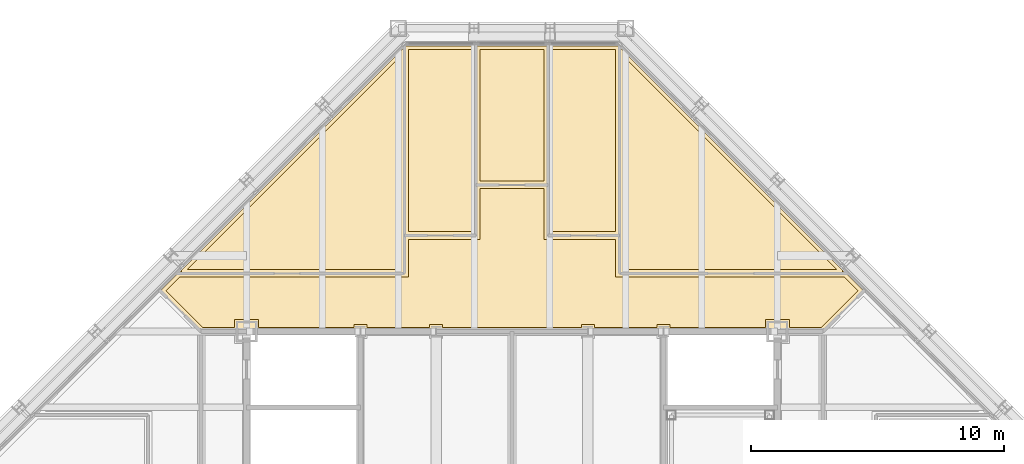
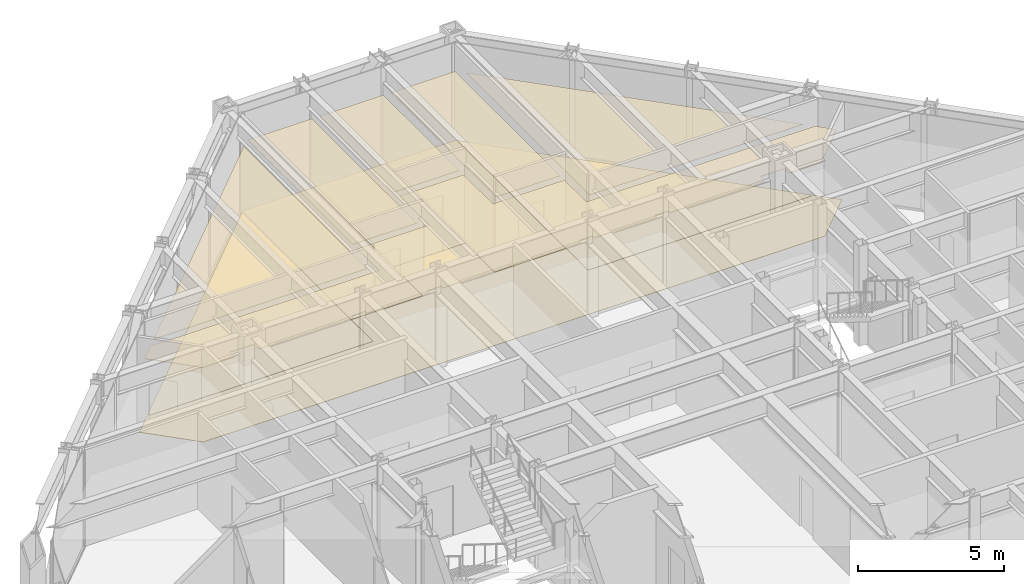
# One storey, part 15 of 15: 12 coverings.
"""IFC4 building model written with IfcOpenShell, lengths in metres."""

from ifc_helpers import new_model, si_unit, direction, frame, origin, place, context, subcontext, project, spatial, polyline, outline, extrude, material, layer, layer_set, type_object, element, save


model = new_model("IFC4")

# Units and contexts
model_context = context("Model", 3, precision=1e-05, world=origin(), true_north=direction((0.0, 1.0)))
body_context = subcontext(model_context, "Body", "Model", "MODEL_VIEW")
ifc_project = project(units=[si_unit("LENGTHUNIT", "METRE"), si_unit("AREAUNIT", "SQUARE_METRE"), si_unit("VOLUMEUNIT", "CUBIC_METRE"), si_unit("PLANEANGLEUNIT", "RADIAN"), si_unit("MASSUNIT", "GRAM", prefix="KILO")], contexts=[model_context])

# Site, building, storey
site_placement = place(None, origin())
site = spatial("IfcSite", under=ifc_project, at=site_placement, CompositionType="ELEMENT")
building_placement = place(site_placement, origin())
building = spatial("IfcBuilding", under=site, at=building_placement, Name="Chuquiago Exchange Tower", CompositionType="ELEMENT")
storey_placement = place(building_placement, frame((0.0, 0.0, 287.39990234375)))
storey = spatial("IfcBuildingStorey", under=building, at=storey_placement, Name="L64", CompositionType="ELEMENT", Elevation=287.39990234375)

# Coverings
ifc_material_1 = material(Name="Mineral fibre tile, 600 x 600, on pale metal grid", Category="mineral fibre")
ifc_layer_1 = layer(ifc_material_1, 0.02001953125)
ifc_layer_set_1 = layer_set([ifc_layer_1], Name="CL1 suspended tile ceiling 20")
covering_type_1 = type_object("IfcCoveringType", Name="CL1 suspended tile ceiling 20", PredefinedType="CEILING", material=ifc_layer_set_1)
covering_1_placement = place(storey_placement, frame((0.0, 0.0, 3.0)))
element("IfcCovering", 1, at=covering_1_placement, inside=storey, type_object=covering_type_1, Name="Ceiling Executive office", PredefinedType="CEILING", context=body_context, shape_type="SweptSolid", body=[
    extrude(outline(polyline([(18.098388671875, 43.896484375), (18.098388671875, 35.449951171875), (9.652099609375, 35.449951171875), (18.098388671875, 43.896484375)])), origin(), (0.0, 0.0, 1.0), 0.02001953125),
])
covering_2_placement = place(storey_placement, frame((0.0, 0.0, 3.0)))
element("IfcCovering", 2, at=covering_2_placement, inside=storey, type_object=covering_type_1, Name="Ceiling Executive office", PredefinedType="CEILING", context=body_context, shape_type="SweptSolid", body=[
    extrude(outline(polyline([(20.932861328125, 44.14990234375), (20.932861328125, 36.949951171875), (18.3984375, 36.949951171875), (18.3984375, 44.14990234375), (20.932861328125, 44.14990234375)])), origin(), (0.0, 0.0, 1.0), 0.02001953125),
])
covering_3_placement = place(storey_placement, frame((0.0, 0.0, 3.0)))
element("IfcCovering", 3, at=covering_3_placement, inside=storey, type_object=covering_type_1, Name="Ceiling Pantry", PredefinedType="CEILING", context=body_context, shape_type="SweptSolid", body=[
    extrude(outline(polyline([(23.76708984375, 38.949951171875), (21.23291015625, 38.949951171875), (21.23291015625, 44.14990234375), (23.76708984375, 44.14990234375), (23.76708984375, 38.949951171875)])), origin(), (0.0, 0.0, 1.0), 0.02001953125),
])
covering_4_placement = place(storey_placement, frame((0.0, 0.0, 3.0)))
element("IfcCovering", 4, at=covering_4_placement, inside=storey, type_object=covering_type_1, Name="Ceiling Executive office", PredefinedType="CEILING", context=body_context, shape_type="SweptSolid", body=[
    extrude(outline(polyline([(26.6015625, 36.949951171875), (24.067138671875, 36.949951171875), (24.067138671875, 44.14990234375), (26.6015625, 44.14990234375), (26.6015625, 36.949951171875)])), origin(), (0.0, 0.0, 1.0), 0.02001953125),
])
covering_5_placement = place(storey_placement, frame((0.0, 0.0, 3.0)))
element("IfcCovering", 5, at=covering_5_placement, inside=storey, type_object=covering_type_1, Name="Ceiling Boardroom", PredefinedType="CEILING", context=body_context, shape_type="SweptSolid", body=[
    extrude(outline(polyline([(26.901611328125, 35.449951171875), (26.901611328125, 43.896484375), (35.347900390625, 35.449951171875), (26.901611328125, 35.449951171875)])), origin(), (0.0, 0.0, 1.0), 0.02001953125),
])
covering_6_placement = place(storey_placement, frame((0.0, 0.0, 3.0)))
element("IfcCovering", 6, at=covering_6_placement, inside=storey, type_object=covering_type_1, Name="Ceiling Executive reception north", PredefinedType="CEILING", context=body_context, shape_type="SweptSolid", body=[
    extrude(outline(polyline([(18.3984375, 35.14990234375), (18.3984375, 36.64990234375), (21.23291015625, 36.64990234375), (21.23291015625, 38.64990234375), (23.76708984375, 38.64990234375), (23.76708984375, 36.64990234375), (26.6015625, 36.64990234375), (26.6015625, 35.14990234375), (35.64794921875, 35.14990234375), (36.192626953125, 34.60546875), (34.7373046875, 33.14990234375), (33.47509765625, 33.14990234375), (33.47509765625, 33.47509765625), (32.52490234375, 33.47509765625), (32.52490234375, 33.14990234375), (28.75830078125, 33.14990234375), (28.75830078125, 33.272216796875), (28.24169921875, 33.272216796875), (28.24169921875, 33.14990234375), (25.75830078125, 33.14990234375), (25.75830078125, 33.272216796875), (25.24169921875, 33.272216796875), (25.24169921875, 33.14990234375), (19.75830078125, 33.14990234375), (19.75830078125, 33.272216796875), (19.24169921875, 33.272216796875), (19.24169921875, 33.14990234375), (16.75830078125, 33.14990234375), (16.75830078125, 33.272216796875), (16.24169921875, 33.272216796875), (16.24169921875, 33.14990234375), (12.47509765625, 33.14990234375), (12.47509765625, 33.47509765625), (11.52490234375, 33.47509765625), (11.52490234375, 33.14990234375), (10.2626953125, 33.14990234375), (8.807373046875, 34.60546875), (9.35205078125, 35.14990234375), (18.3984375, 35.14990234375)])), origin(), (0.0, 0.0, 1.0), 0.02001953125),
])
ifc_material_2 = material(Name="Carpet tile, 500 x 500, on the floor slab", Category="textile")
ifc_layer_2 = layer(ifc_material_2, 0.010009765625)
ifc_layer_set_2 = layer_set([ifc_layer_2], Name="FL1 carpet tile 10")
covering_type_2 = type_object("IfcCoveringType", Name="FL1 carpet tile 10", PredefinedType="FLOORING", material=ifc_layer_set_2)
covering_7_placement = place(storey_placement, origin())
element("IfcCovering", 7, at=covering_7_placement, inside=storey, type_object=covering_type_2, Name="Floor finish Executive office", PredefinedType="FLOORING", context=body_context, shape_type="SweptSolid", body=[
    extrude(outline(polyline([(18.24853515625, 44.258544921875), (18.24853515625, 35.300048828125), (9.42431640625, 35.300048828125), (9.42431640625, 35.434326171875), (18.24853515625, 44.258544921875)])), origin(), (0.0, 0.0, 1.0), 0.010009765625),
])
covering_8_placement = place(storey_placement, origin())
element("IfcCovering", 8, at=covering_8_placement, inside=storey, type_object=covering_type_2, Name="Floor finish Executive office", PredefinedType="FLOORING", context=body_context, shape_type="SweptSolid", body=[
    extrude(outline(polyline([(18.289794921875, 44.300048828125), (21.082763671875, 44.300048828125), (21.082763671875, 36.800048828125), (18.24853515625, 36.800048828125), (18.24853515625, 44.258544921875), (18.289794921875, 44.300048828125)])), origin(), (0.0, 0.0, 1.0), 0.010009765625),
])
covering_9_placement = place(storey_placement, origin())
element("IfcCovering", 9, at=covering_9_placement, inside=storey, type_object=covering_type_2, Name="Floor finish Executive office", PredefinedType="FLOORING", context=body_context, shape_type="SweptSolid", body=[
    extrude(outline(polyline([(26.710205078125, 44.300048828125), (26.75146484375, 44.258544921875), (26.75146484375, 36.800048828125), (23.917236328125, 36.800048828125), (23.917236328125, 44.300048828125), (26.710205078125, 44.300048828125)])), origin(), (0.0, 0.0, 1.0), 0.010009765625),
])
covering_10_placement = place(storey_placement, origin())
element("IfcCovering", 10, at=covering_10_placement, inside=storey, type_object=covering_type_2, Name="Floor finish Boardroom", PredefinedType="FLOORING", context=body_context, shape_type="SweptSolid", body=[
    extrude(outline(polyline([(35.57568359375, 35.434326171875), (35.57568359375, 35.300048828125), (26.75146484375, 35.300048828125), (26.75146484375, 44.258544921875), (35.57568359375, 35.434326171875)])), origin(), (0.0, 0.0, 1.0), 0.010009765625),
])
ifc_material_3 = material(Name="Porcelain floor tile, 600 x 600, on adhesive bed", Category="ceramic")
ifc_layer_3 = layer(ifc_material_3, 0.014892578125)
ifc_layer_set_3 = layer_set([ifc_layer_3], Name="FL2 porcelain tile 15")
covering_type_3 = type_object("IfcCoveringType", Name="FL2 porcelain tile 15", PredefinedType="FLOORING", material=ifc_layer_set_3)
covering_11_placement = place(storey_placement, origin())
element("IfcCovering", 11, at=covering_11_placement, inside=storey, type_object=covering_type_3, Name="Floor finish Pantry", PredefinedType="FLOORING", context=body_context, shape_type="SweptSolid", body=[
    extrude(outline(polyline([(23.917236328125, 44.300048828125), (23.917236328125, 38.800048828125), (21.082763671875, 38.800048828125), (21.082763671875, 44.300048828125), (23.917236328125, 44.300048828125)])), origin(), (0.0, 0.0, 1.0), 0.01513671875),
])
covering_12_placement = place(storey_placement, origin())
element("IfcCovering", 12, at=covering_12_placement, inside=storey, type_object=covering_type_3, Name="Floor finish Executive reception north", PredefinedType="FLOORING", context=body_context, shape_type="SweptSolid", body=[
    extrude(outline(polyline([(18.24853515625, 35.300048828125), (18.24853515625, 36.800048828125), (21.082763671875, 36.800048828125), (21.082763671875, 38.800048828125), (23.917236328125, 38.800048828125), (23.917236328125, 36.800048828125), (26.75146484375, 36.800048828125), (26.75146484375, 35.300048828125), (35.57568359375, 35.300048828125), (35.57568359375, 35.434326171875), (36.40478515625, 34.60546875), (34.799560546875, 33.0), (10.200439453125, 33.0), (8.59521484375, 34.60546875), (9.42431640625, 35.434326171875), (9.42431640625, 35.300048828125), (18.24853515625, 35.300048828125)])), origin(), (0.0, 0.0, 1.0), 0.01513671875),
])

save(model, "model.ifc")
